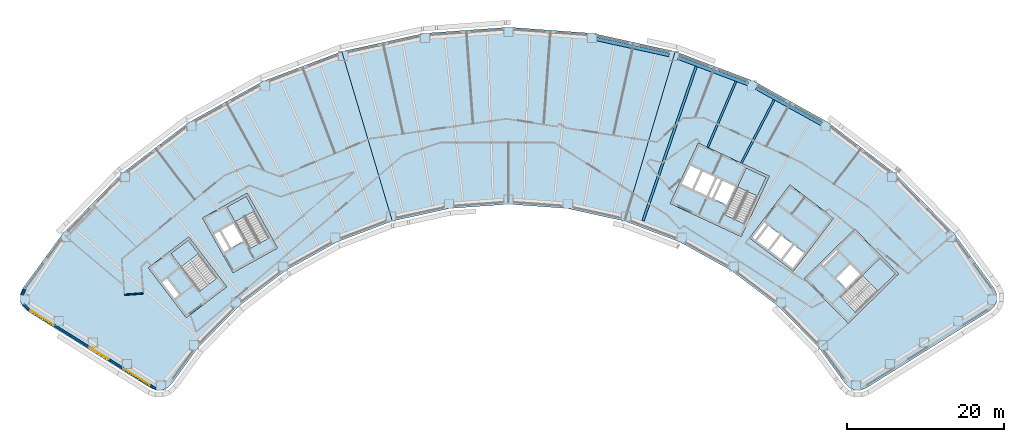
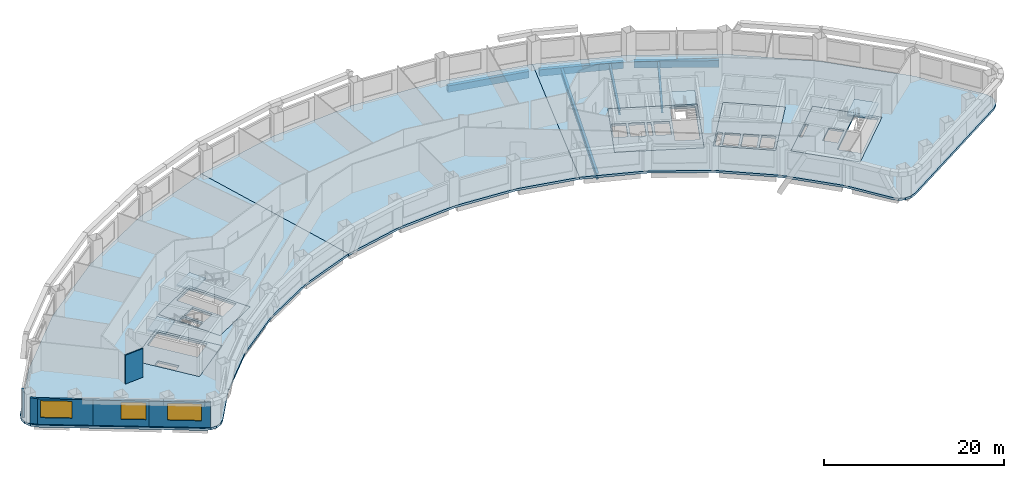
# One storey, part 2 of 11: 12 slabs, 6 beams, 6 walls, 3 windows, 3 openings, 4 elements without a shape of their own.
"""IFC4 building model written with IfcOpenShell, lengths in metres."""

from ifc_helpers import new_model, si_unit, direction, frame, frame_2d, origin, origin_2d, place, context, subcontext, project, spatial, polyline, rectangle, hollow_rectangle, i_section, outline, extrude, material, layer, layer_set, material_profile, profile_set, type_object, element, fill, aggregate, save


model = new_model("IFC4")

# Units and contexts
model_context = context("Model", 3, precision=1e-05, world=origin(), true_north=direction((0.0, 1.0)))
body_context = subcontext(model_context, "Body", "Model", "MODEL_VIEW")
ifc_project = project(units=[si_unit("LENGTHUNIT", "METRE"), si_unit("AREAUNIT", "SQUARE_METRE"), si_unit("VOLUMEUNIT", "CUBIC_METRE"), si_unit("PLANEANGLEUNIT", "RADIAN"), si_unit("MASSUNIT", "GRAM", prefix="KILO")], contexts=[model_context])

# Site, building, storey
site_placement = place(None, origin())
site = spatial("IfcSite", under=ifc_project, at=site_placement, CompositionType="ELEMENT")
building_placement = place(site_placement, origin())
building = spatial("IfcBuilding", under=site, at=building_placement, Name="Tuul Gate Civic Tower", CompositionType="ELEMENT")
storey_placement = place(building_placement, frame((0.0, 0.0, 69.60009765625)))
storey = spatial("IfcBuildingStorey", under=building, at=storey_placement, Name="Level 15", CompositionType="ELEMENT", Elevation=69.60009765625)

# Beams
ifc_material_1 = material(Name="Steel S355", Category="steel")
ifc_material_profile_1 = material_profile(ifc_material_1, i_section(OverallWidth=0.25, OverallDepth=0.64990234375, WebThickness=0.011962890625, FlangeThickness=0.02001953125, at=origin_2d()), Name="PG650x250x12x20")
ifc_profile_set_1 = profile_set([ifc_material_profile_1], Name="Steel S355")
beam_type_1 = type_object("IfcBeamType", Name="STR-FLOOR BEAM-PG650x250x12x20", PredefinedType="BEAM", material=ifc_profile_set_1)
beam_1_placement = place(storey_placement, frame((34.490478515625, 1.98095703125, -0.625), z_axis=(0.460790383982, 0.887508998281, 0.0), x_axis=(-0.887508998281, 0.460790383982, 0.0)))
element("IfcBeam", 1, at=beam_1_placement, inside=storey, type_object=beam_type_1, Name="Floor beam", PredefinedType="BEAM", context=body_context, shape_type="SweptSolid", body=[
    extrude(i_section(OverallWidth=0.25, OverallDepth=0.64990234375, WebThickness=0.011962890625, FlangeThickness=0.02001953125, at=origin_2d()), origin(), (0.0, 0.0, 1.0), 9.064453125),
])
beam_2_placement = place(storey_placement, frame((30.191162109375, 3.98583984375, -0.625), z_axis=(0.394199935174, 0.919024706474, 0.0), x_axis=(-0.919024706474, 0.394199935174, 0.0)))
element("IfcBeam", 2, at=beam_2_placement, inside=storey, type_object=beam_type_1, Name="Floor beam", PredefinedType="BEAM", context=body_context, shape_type="SweptSolid", body=[
    extrude(i_section(OverallWidth=0.25, OverallDepth=0.64990234375, WebThickness=0.011962890625, FlangeThickness=0.02001953125, at=origin_2d()), origin(), (0.0, 0.0, 1.0), 9.1337890625),
])
ifc_material_2 = material(Name="Steel S355", Category="steel")
ifc_material_profile_2 = material_profile(ifc_material_2, i_section(OverallWidth=0.300048828125, OverallDepth=0.800048828125, WebThickness=0.013916015625, FlangeThickness=0.02490234375, at=origin_2d()), Name="PG800x300x14x25")
ifc_profile_set_2 = profile_set([ifc_material_profile_2], Name="Steel S355")
beam_type_2 = type_object("IfcBeamType", Name="STR-FLOOR BEAM-PG800x300x14x25", PredefinedType="BEAM", material=ifc_profile_set_2)
beam_3_placement = place(storey_placement, frame((21.954345703125, -5.380859375, -0.7001953125), z_axis=(0.325483706592, 0.945547649113, 0.0), x_axis=(-0.945547649113, 0.325483706592, 0.0)))
element("IfcBeam", 3, at=beam_3_placement, inside=storey, type_object=beam_type_2, Name="Floor beam", PredefinedType="BEAM", context=body_context, shape_type="SweptSolid", body=[
    extrude(i_section(OverallWidth=0.300048828125, OverallDepth=0.800048828125, WebThickness=0.013916015625, FlangeThickness=0.02490234375, at=origin_2d()), origin(), (0.0, 0.0, 1.0), 20.808837890625),
])
ifc_material_3 = material(Name="Steel S355", Category="steel")
ifc_material_profile_3 = material_profile(ifc_material_3, hollow_rectangle(XDim=0.449951171875, YDim=0.89990234375, WallThickness=0.02490234375, at=origin_2d()), Name="BOX900x450x25")
ifc_profile_set_3 = profile_set([ifc_material_profile_3], Name="Steel S355")
beam_type_3 = type_object("IfcBeamType", Name="STR-SPANDREL BEAM-BOX900x450x25", PredefinedType="BEAM", material=ifc_profile_set_3)
beam_4_placement = place(storey_placement, frame((44.686279296875, 6.974853515625, -0.75), z_axis=(-0.874608888761, 0.484829136604, 0.0), x_axis=(-0.484829136604, -0.874608888761, 0.0)))
element("IfcBeam", 4, at=beam_4_placement, inside=storey, type_object=beam_type_3, Name="Spandrel beam", PredefinedType="BEAM", context=body_context, shape_type="SweptSolid", body=[
    extrude(hollow_rectangle(XDim=0.449951171875, YDim=0.89990234375, WallThickness=0.02490234375, at=origin_2d()), origin(), (0.0, 0.0, 1.0), 9.47802734375),
])
beam_5_placement = place(storey_placement, frame((35.310791015625, 12.0732421875, -0.75), z_axis=(-0.935376104649, 0.353654552993, 0.0), x_axis=(-0.353654552993, -0.935376104649, 0.0)))
element("IfcBeam", 5, at=beam_5_placement, inside=storey, type_object=beam_type_3, Name="Spandrel beam", PredefinedType="BEAM", context=body_context, shape_type="SweptSolid", body=[
    extrude(hollow_rectangle(XDim=0.449951171875, YDim=0.89990234375, WallThickness=0.02490234375, at=origin_2d()), origin(), (0.0, 0.0, 1.0), 9.47705078125),
])
beam_6_placement = place(storey_placement, frame((25.299072265625, 15.76611328125, -0.75), z_axis=(-0.97656320303, 0.215230830708, 0.0), x_axis=(-0.215230830708, -0.97656320303, 0.0)))
element("IfcBeam", 6, at=beam_6_placement, inside=storey, type_object=beam_type_3, Name="Spandrel beam", PredefinedType="BEAM", context=body_context, shape_type="SweptSolid", body=[
    extrude(hollow_rectangle(XDim=0.449951171875, YDim=0.89990234375, WallThickness=0.02490234375, at=origin_2d()), origin(), (0.0, 0.0, 1.0), 9.477294921875),
])

# Slabs
ifc_material_4 = material(Name="Concrete C40/50", Category="concrete")
ifc_layer_1 = layer(ifc_material_4, 0.300048828125)
ifc_layer_set_1 = layer_set([ifc_layer_1], Name="Concrete C40/50")
slab_type_1 = type_object("IfcSlabType", Name="Core floor slab 300", PredefinedType="FLOOR", material=ifc_layer_set_1)
slab_1_placement = place(storey_placement, frame((0.0, 0.0, -0.300048828125)))
element("IfcSlab", 7, at=slab_1_placement, inside=storey, type_object=slab_type_1, Name="FLOOR SLAB", PredefinedType="FLOOR", context=body_context, shape_type="SweptSolid", body=[
    extrude(outline(polyline([(-31.10009765625, -13.7890625), (-35.946044921875, -7.423828125), (-41.11767578125, -11.361572265625), (-36.271484375, -17.726806640625), (-31.10009765625, -13.7890625)]), holes=[polyline([(-37.19287109375, -14.783203125), (-38.737548828125, -12.75439453125), (-39.45361328125, -13.299560546875), (-37.908935546875, -15.328369140625), (-37.19287109375, -14.783203125)]), polyline([(-32.33935546875, -12.65771484375), (-34.56591796875, -14.352783203125), (-38.229736328125, -9.54052734375), (-36.003173828125, -7.845458984375), (-32.33935546875, -12.65771484375)])]), origin(), (0.0, 0.0, 1.0), 0.300048828125),
])
slab_2_placement = place(storey_placement, frame((0.0, 0.0, -0.300048828125)))
element("IfcSlab", 8, at=slab_2_placement, inside=storey, type_object=slab_type_1, Name="FLOOR SLAB", PredefinedType="FLOOR", context=body_context, shape_type="SweptSolid", body=[
    extrude(outline(polyline([(-24.638916015625, -8.846923828125), (-28.51708984375, -1.849853515625), (-34.2021484375, -5.0009765625), (-30.32421875, -11.998046875), (-24.638916015625, -8.846923828125)]), holes=[polyline([(-29.0185546875, -7.958740234375), (-30.254638671875, -5.728515625), (-31.785400390625, -6.576904296875), (-30.54931640625, -8.80712890625), (-29.0185546875, -7.958740234375)]), polyline([(-30.8115234375, -8.95263671875), (-32.047607421875, -6.72216796875), (-32.8349609375, -7.158447265625), (-31.5986328125, -9.388916015625), (-30.8115234375, -8.95263671875)]), polyline([(-25.702392578125, -7.548828125), (-28.14990234375, -8.905517578125), (-31.08203125, -3.615234375), (-28.63427734375, -2.2587890625), (-25.702392578125, -7.548828125)])]), origin(), (0.0, 0.0, 1.0), 0.300048828125),
])
slab_3_placement = place(storey_placement, frame((0.0, 0.0, -0.300048828125)))
element("IfcSlab", 9, at=slab_3_placement, inside=storey, type_object=slab_type_1, Name="FLOOR SLAB", PredefinedType="FLOOR", context=body_context, shape_type="SweptSolid", body=[
    extrude(outline(polyline([(48.117919921875, -18.43310546875), (54.545166015625, -12.1328125), (48.945068359375, -6.419921875), (42.517822265625, -12.719970703125), (48.117919921875, -18.43310546875)]), holes=[polyline([(47.808837890625, -13.974853515625), (49.6298828125, -12.18994140625), (48.40478515625, -10.940185546875), (46.583984375, -12.72509765625), (47.808837890625, -13.974853515625)]), polyline([(44.93896484375, -11.046875), (46.760009765625, -9.261962890625), (46.514892578125, -9.011962890625), (44.69384765625, -10.797119140625), (44.93896484375, -11.046875)]), polyline([(49.086181640625, -17.062744140625), (47.12744140625, -15.064208984375), (52.160888671875, -10.130126953125), (54.11962890625, -12.128662109375), (49.086181640625, -17.062744140625)])]), origin(), (0.0, 0.0, 1.0), 0.300048828125),
])
slab_4_placement = place(storey_placement, frame((0.0, 0.0, -0.300048828125)))
element("IfcSlab", 10, at=slab_4_placement, inside=storey, type_object=slab_type_1, Name="FLOOR SLAB", PredefinedType="FLOOR", context=body_context, shape_type="SweptSolid", body=[
    extrude(outline(polyline([(34.465087890625, -7.385986328125), (38.056884765625, 0.31787109375), (28.993896484375, 4.543701171875), (25.40185546875, -3.159912109375), (34.465087890625, -7.385986328125)]), holes=[polyline([(32.60888671875, -3.32080078125), (33.6865234375, -1.009765625), (32.1005859375, -0.27001953125), (31.02294921875, -2.581298828125), (32.60888671875, -3.32080078125)]), polyline([(30.0712890625, -2.137451171875), (31.14892578125, 0.173583984375), (29.562744140625, 0.9130859375), (28.4853515625, -1.39794921875), (30.0712890625, -2.137451171875)]), polyline([(30.751220703125, -2.454345703125), (31.82861328125, -0.143310546875), (31.4208984375, 0.046875), (30.34326171875, -2.264404296875), (30.751220703125, -2.454345703125)]), polyline([(28.21337890625, -1.27099609375), (29.291015625, 1.0400390625), (27.8408203125, 1.71630859375), (26.76318359375, -0.594970703125), (28.21337890625, -1.27099609375)]), polyline([(34.889892578125, -5.7626953125), (32.353759765625, -4.580078125), (35.120849609375, 1.354736328125), (37.6572265625, 0.17236328125), (34.889892578125, -5.7626953125)])]), origin(), (0.0, 0.0, 1.0), 0.300048828125),
])
ifc_material_5 = material(Name="Concrete C40/50", Category="concrete")
ifc_layer_2 = layer(ifc_material_5, 0.300048828125)
ifc_layer_set_2 = layer_set([ifc_layer_2], Name="Concrete C40/50")
slab_type_2 = type_object("IfcSlabType", Name="Core floor slab 300 non-bearing", PredefinedType="FLOOR", material=ifc_layer_set_2)
slab_5_placement = place(storey_placement, frame((0.0, 0.0, -0.300048828125)))
element("IfcSlab", 11, at=slab_5_placement, inside=storey, type_object=slab_type_2, Name="FLOOR SLAB", PredefinedType="FLOOR", context=body_context, shape_type="SweptSolid", body=[
    extrude(outline(polyline([(41.10107421875, -11.797119140625), (46.25, -5.033935546875), (40.680908203125, -0.79296875), (35.531982421875, -7.555908203125), (41.10107421875, -11.797119140625)]), holes=[polyline([(41.044189453125, -11.37646484375), (42.497802734375, -9.467041015625), (41.22509765625, -8.49755859375), (39.77099609375, -10.4072265625), (41.044189453125, -11.37646484375)]), polyline([(39.532470703125, -10.225341796875), (40.986328125, -8.31591796875), (39.593994140625, -7.255615234375), (38.14013671875, -9.165283203125), (39.532470703125, -10.225341796875)]), polyline([(37.901611328125, -8.9833984375), (39.35546875, -7.073974609375), (37.963134765625, -6.013671875), (36.50927734375, -7.923095703125), (37.901611328125, -8.9833984375)]), polyline([(36.1796875, -7.860595703125), (37.724609375, -5.831787109375), (37.286865234375, -5.49853515625), (35.7421875, -7.527587890625), (36.1796875, -7.860595703125)])]), origin(), (0.0, 0.0, 1.0), 0.300048828125),
])

# Stair, slab
ifc_material_6 = material(Name="Concrete C40/50", Category="concrete")
stair_type = type_object("IfcStairType", Name="Exit stair", PredefinedType="HALF_TURN_STAIR", material=ifc_material_6)
stair_1_placement = place(storey_placement, origin())
stair_1 = element("IfcStair", 12, at=stair_1_placement, inside=storey, type_object=stair_type, Name="Level 15 ST-1", PredefinedType="HALF_TURN_STAIR")
ifc_material_7 = material(Name="Concrete C40/50", Category="concrete")
ifc_layer_3 = layer(ifc_material_7, 0.199951171875)
ifc_layer_set_3 = layer_set([ifc_layer_3], Name="Concrete C40/50")
slab_type_3 = type_object("IfcSlabType", Name="Exit stair landing", PredefinedType="LANDING", material=ifc_layer_set_3)
slab_6_placement = place(storey_placement, frame((0.0, 0.0, 1.89990234375)))
slab_6 = element("IfcSlab", 13, at=slab_6_placement, type_object=slab_type_3, Name="ST-1 landing 1", PredefinedType="LANDING", context=body_context, shape_type="SweptSolid", body=[
    extrude(outline(polyline([(-34.699462890625, -9.554931640625), (-36.9287109375, -11.252197265625), (-38.23193359375, -9.540283203125), (-36.0029296875, -7.843017578125), (-34.699462890625, -9.554931640625)])), origin(), (0.0, 0.0, 1.0), 0.199951171875),
])
aggregate(stair_1, [slab_6])

stair_2_placement = place(storey_placement, origin())
stair_2 = element("IfcStair", 14, at=stair_2_placement, inside=storey, type_object=stair_type, Name="Level 15 ST-2", PredefinedType="HALF_TURN_STAIR")
slab_7_placement = place(storey_placement, frame((0.0, 0.0, 1.89990234375)))
slab_7 = element("IfcSlab", 15, at=slab_7_placement, type_object=slab_type_3, Name="ST-2 landing 1", PredefinedType="LANDING", context=body_context, shape_type="SweptSolid", body=[
    extrude(outline(polyline([(-27.5908203125, -4.138427734375), (-30.041015625, -5.49658203125), (-31.084228515625, -3.61474609375), (-28.6337890625, -2.256591796875), (-27.5908203125, -4.138427734375)])), origin(), (0.0, 0.0, 1.0), 0.199951171875),
])
aggregate(stair_2, [slab_7])

stair_3_placement = place(storey_placement, origin())
stair_3 = element("IfcStair", 16, at=stair_3_placement, inside=storey, type_object=stair_type, Name="Level 15 ST-3", PredefinedType="HALF_TURN_STAIR")
slab_8_placement = place(storey_placement, frame((0.0, 0.0, 1.89990234375)))
slab_8 = element("IfcSlab", 17, at=slab_8_placement, type_object=slab_type_3, Name="ST-3 landing 1", PredefinedType="LANDING", context=body_context, shape_type="SweptSolid", body=[
    extrude(outline(polyline([(51.871337890625, -14.3349609375), (49.91015625, -12.334228515625), (52.160888671875, -10.1279296875), (54.1220703125, -12.128662109375), (51.871337890625, -14.3349609375)])), origin(), (0.0, 0.0, 1.0), 0.199951171875),
])
aggregate(stair_3, [slab_8])

stair_4_placement = place(storey_placement, origin())
stair_4 = element("IfcStair", 18, at=stair_4_placement, inside=storey, type_object=stair_type, Name="Level 15 ST-4", PredefinedType="HALF_TURN_STAIR")
slab_9_placement = place(storey_placement, frame((0.0, 0.0, 1.89990234375)))
slab_9 = element("IfcSlab", 19, at=slab_9_placement, type_object=slab_type_3, Name="ST-4 landing 1", PredefinedType="LANDING", context=body_context, shape_type="SweptSolid", body=[
    extrude(outline(polyline([(36.538818359375, -2.230224609375), (33.999755859375, -1.046142578125), (35.1201171875, 1.35693359375), (37.659423828125, 0.173095703125), (36.538818359375, -2.230224609375)])), origin(), (0.0, 0.0, 1.0), 0.199951171875),
])
aggregate(stair_4, [slab_9])

# Slabs
ifc_material_8 = material(Name="Concrete C35/45", Category="concrete")
ifc_layer_4 = layer(ifc_material_8, 0.300048828125)
ifc_layer_set_4 = layer_set([ifc_layer_4], Name="Concrete C35/45")
slab_type_4 = type_object("IfcSlabType", Name="STR-FLOOR-SLAB-300", PredefinedType="FLOOR", material=ifc_layer_set_4)
slab_10_placement = place(storey_placement, frame((0.0, 0.0, -0.300048828125)))
element("IfcSlab", 20, at=slab_10_placement, inside=storey, type_object=slab_type_4, Name="Level 15/slab/W", PredefinedType="FLOOR", context=body_context, shape_type="SweptSolid", body=[
    extrude(outline(polyline([(-10.006103515625, -5.407958984375), (-16.43994140625, 16.214111328125), (-26.508056640625, 12.406982421875), (-35.923095703125, 7.18798828125), (-44.487060546875, 0.6669921875), (-52.02294921875, -7.02001953125), (-57.10302734375, -13.97607421875), (-57.43994140625, -14.718994140625), (-57.451904296875, -15.534912109375), (-57.136962890625, -16.2880859375), (-56.548095703125, -16.85205078125), (-40.818115234375, -26.680908203125), (-40.1240234375, -26.950927734375), (-39.37890625, -26.948974609375), (-38.68701171875, -26.674072265625), (-38.14306640625, -26.1650390625), (-34.81396484375, -21.60693359375), (-29.56005859375, -16.2470703125), (-23.589111328125, -11.700927734375), (-17.02490234375, -8.06298828125), (-10.006103515625, -5.407958984375)]), holes=[polyline([(-31.10009765625, -13.7890625), (-36.27197265625, -17.72705078125), (-41.117919921875, -11.362060546875), (-35.946044921875, -7.424072265625), (-31.10009765625, -13.7890625)]), polyline([(-24.638916015625, -8.846923828125), (-30.323974609375, -11.998046875), (-34.201904296875, -5.0009765625), (-28.51708984375, -1.85009765625), (-24.638916015625, -8.846923828125)])]), origin(), (0.0, 0.0, 1.0), 0.300048828125),
])
slab_11_placement = place(storey_placement, frame((0.0, 0.0, -0.300048828125)))
element("IfcSlab", 21, at=slab_11_placement, inside=storey, type_object=slab_type_4, Name="Level 15/slab/M", PredefinedType="FLOOR", context=body_context, shape_type="SweptSolid", body=[
    extrude(outline(polyline([(19.6220703125, -5.407958984375), (26.055908203125, 16.214111328125), (15.5439453125, 18.531005859375), (4.80810546875, 19.30810546875), (-5.927978515625, 18.531005859375), (-16.43994140625, 16.214111328125), (-10.006103515625, -5.407958984375), (-2.677001953125, -3.79296875), (4.80810546875, -3.2509765625), (12.29296875, -3.79296875), (19.6220703125, -5.407958984375)])), origin(), (0.0, 0.0, 1.0), 0.300048828125),
])
slab_12_placement = place(storey_placement, frame((0.0, 0.0, -0.300048828125)))
element("IfcSlab", 22, at=slab_12_placement, inside=storey, type_object=slab_type_4, Name="Level 15/slab/E", PredefinedType="FLOOR", context=body_context, shape_type="SweptSolid", body=[
    extrude(outline(polyline([(49.739990234375, -26.950927734375), (50.43408203125, -26.680908203125), (66.1640625, -16.85205078125), (66.75390625, -16.2880859375), (67.068115234375, -15.534912109375), (67.055908203125, -14.718994140625), (66.719970703125, -13.97607421875), (61.638916015625, -7.02001953125), (54.10400390625, 0.6669921875), (45.5400390625, 7.18798828125), (36.125, 12.406982421875), (26.055908203125, 16.214111328125), (19.6220703125, -5.407958984375), (26.64208984375, -8.06298828125), (33.2060546875, -11.700927734375), (39.177001953125, -16.2470703125), (44.429931640625, -21.60693359375), (47.760009765625, -26.1650390625), (48.302978515625, -26.674072265625), (48.9951171875, -26.948974609375), (49.739990234375, -26.950927734375)]), holes=[polyline([(48.117919921875, -18.43310546875), (42.51806640625, -12.719970703125), (48.945068359375, -6.419921875), (54.544921875, -12.133056640625), (48.117919921875, -18.43310546875)]), polyline([(35.531982421875, -7.555908203125), (40.680908203125, -0.79296875), (46.25, -5.033935546875), (41.10107421875, -11.797119140625), (35.531982421875, -7.555908203125)]), polyline([(25.402099609375, -3.159912109375), (28.993896484375, 4.5439453125), (38.056884765625, 0.318115234375), (34.465087890625, -7.385986328125), (25.402099609375, -3.159912109375)])]), origin(), (0.0, 0.0, 1.0), 0.300048828125),
])

# Walls
ifc_material_9 = material(Name="Gypsum board partition")
ifc_layer_5 = layer(ifc_material_9, 0.14990234375)
ifc_layer_set_5 = layer_set([ifc_layer_5], Name="Gypsum board partition")
wall_type_1 = type_object("IfcWallType", Name="Corridor wall P150", PredefinedType="PARTITIONING", material=ifc_layer_set_5)
wall_1_placement = place(storey_placement, frame((-44.14306640625, -14.803466796875, 0.0), z_axis=(0.0, 0.0, 1.0), x_axis=(0.997162391705, 0.075280572318, 0.0)))
element("IfcWall", 23, at=wall_1_placement, inside=storey, type_object=wall_type_1, Name="p051", PredefinedType="PARTITIONING", context=body_context, shape_type="SweptSolid", body=[
    extrude(rectangle(XDim=2.39990234375, YDim=0.14990234375, at=frame_2d((1.199951171875, 0.0))), origin(), (0.0, 0.0, 1.0), 3.89990234375),
])
ifc_material_10 = material(Name="Precast concrete C40/50", Category="concrete")
ifc_layer_6 = layer(ifc_material_10, 0.25)
ifc_layer_set_6 = layer_set([ifc_layer_6], Name="Precast concrete C40/50")
wall_type_2 = type_object("IfcWallType", Name="External wall", PredefinedType="STANDARD", material=ifc_layer_set_6)
wall_2_placement = place(storey_placement, frame((-56.8681640625, -14.116455078125, 0.0), z_axis=(0.0, 0.0, 1.0), x_axis=(-0.412280175097, -0.911057109748, 0.0)))
element("IfcWall", 24, at=wall_2_placement, inside=storey, type_object=wall_type_2, Name="External wall", PredefinedType="STANDARD", context=body_context, shape_type="SweptSolid", body=[
    extrude(rectangle(XDim=0.7734375, YDim=0.25, at=frame_2d((0.38671875, 0.0))), origin(), (0.0, 0.0, 1.0), 3.449951171875),
])
wall_3_placement = place(storey_placement, frame((-57.022216796875, -16.02099609375, 0.0), z_axis=(0.0, 0.0, 1.0), x_axis=(0.722079843393, -0.691809728007, 0.0)))
element("IfcWall", 25, at=wall_3_placement, inside=storey, type_object=wall_type_2, Name="External wall", PredefinedType="STANDARD", context=body_context, shape_type="SweptSolid", body=[
    extrude(rectangle(XDim=0.88720703125, YDim=0.25, at=frame_2d((0.443603515625, 0.0))), origin(), (0.0, 0.0, 1.0), 3.449951171875),
])

# Wall, opening, window
wall_4_placement = place(storey_placement, frame((-56.40185546875, -16.618896484375, 0.0), z_axis=(0.0, 0.0, 1.0), x_axis=(0.848053758074, -0.529910203164, 0.0)))
wall_4 = element("IfcWall", 26, at=wall_4_placement, inside=storey, type_object=wall_type_2, Name="External wall", PredefinedType="STANDARD", context=body_context, shape_type="SweptSolid", body=[
    extrude(rectangle(XDim=6.182861328125, YDim=0.25, at=frame_2d((3.09130859375, 0.0))), origin(), (0.0, 0.0, 1.0), 3.449951171875),
])
opening_1_placement = place(wall_4_placement, frame((0.319091796875, 0.0, 0.89990234375)))
opening_1 = element("IfcOpeningElement", 27, at=opening_1_placement, cuts=wall_4, Name="Opening W74", PredefinedType="OPENING", context=body_context, shape_type="SweptSolid", body=[
    extrude(rectangle(XDim=3.5, YDim=2.300048828125, at=frame_2d((1.75, 1.14990234375))), frame((0.0, 0.135009765625, 0.0), z_axis=(0.0, -1.0, 0.0), x_axis=(1.0, 0.0, 0.0)), (0.0, 0.0, 1.0), 0.27001953125),
])
ifc_material_11 = material(Name="Glass", Category="glass")
window_type_1 = type_object("IfcWindowType", Name="Window 3500 x 2300", PartitioningType="SINGLE_PANEL", PredefinedType="WINDOW", material=ifc_material_11)
window_1_placement = place(opening_1_placement, origin())
window_1 = element("IfcWindow", 28, at=window_1_placement, inside=storey, type_object=window_type_1, Name="Window", OverallHeight=2.300048828125, OverallWidth=3.5, PartitioningType="SINGLE_PANEL", PredefinedType="WINDOW", context=body_context, shape_type="SweptSolid", body=[
    extrude(rectangle(XDim=3.5, YDim=2.300048828125, at=frame_2d((1.75, 1.14990234375))), frame((0.0, 0.030029296875, 0.0), z_axis=(0.0, -1.0, 0.0), x_axis=(1.0, 0.0, 0.0)), (0.0, 0.0, 1.0), 0.06005859375),
])
fill(opening_1, window_1)

wall_5_placement = place(storey_placement, frame((-51.158447265625, -19.895263671875, 0.0), z_axis=(0.0, 0.0, 1.0), x_axis=(0.848053758074, -0.529910203164, 0.0)))
wall_5 = element("IfcWall", 29, at=wall_5_placement, inside=storey, type_object=wall_type_2, Name="External wall", PredefinedType="STANDARD", context=body_context, shape_type="SweptSolid", body=[
    extrude(rectangle(XDim=6.182861328125, YDim=0.25, at=frame_2d((3.09130859375, 0.0))), origin(), (0.0, 0.0, 1.0), 3.449951171875),
])
opening_2_placement = place(wall_5_placement, frame((3.10302734375, 0.0, 0.89990234375)))
opening_2 = element("IfcOpeningElement", 30, at=opening_2_placement, cuts=wall_5, Name="Opening W30", PredefinedType="OPENING", context=body_context, shape_type="SweptSolid", body=[
    extrude(rectangle(XDim=2.75, YDim=2.300048828125, at=frame_2d((1.375, 1.14990234375))), frame((0.0, 0.135009765625, 0.0), z_axis=(0.0, -1.0, 0.0), x_axis=(1.0, 0.0, 0.0)), (0.0, 0.0, 1.0), 0.27001953125),
])
ifc_material_12 = material(Name="Glass", Category="glass")
window_type_2 = type_object("IfcWindowType", Name="Window 2750 x 2300", PartitioningType="SINGLE_PANEL", PredefinedType="WINDOW", material=ifc_material_12)
window_2_placement = place(opening_2_placement, origin())
window_2 = element("IfcWindow", 31, at=window_2_placement, inside=storey, type_object=window_type_2, Name="Window", OverallHeight=2.300048828125, OverallWidth=2.75, PartitioningType="SINGLE_PANEL", PredefinedType="WINDOW", context=body_context, shape_type="SweptSolid", body=[
    extrude(rectangle(XDim=2.75, YDim=2.300048828125, at=frame_2d((1.375, 1.14990234375))), frame((0.0, 0.030029296875, 0.0), z_axis=(0.0, -1.0, 0.0), x_axis=(1.0, 0.0, 0.0)), (0.0, 0.0, 1.0), 0.06005859375),
])
fill(opening_2, window_2)

wall_6_placement = place(storey_placement, frame((-45.9150390625, -23.171630859375, 0.0), z_axis=(0.0, 0.0, 1.0), x_axis=(0.848052242305, -0.529912628951, 0.0)))
wall_6 = element("IfcWall", 32, at=wall_6_placement, inside=storey, type_object=wall_type_2, Name="External wall", PredefinedType="STANDARD", context=body_context, shape_type="SweptSolid", body=[
    extrude(rectangle(XDim=6.865234375, YDim=0.25, at=frame_2d((3.4326171875, 0.0))), origin(), (0.0, 0.0, 1.0), 3.449951171875),
])
opening_3_placement = place(wall_6_placement, frame((2.06591796875, 0.0, 0.89990234375)))
opening_3 = element("IfcOpeningElement", 33, at=opening_3_placement, cuts=wall_6, Name="Opening W100", PredefinedType="OPENING", context=body_context, shape_type="SweptSolid", body=[
    extrude(rectangle(XDim=3.800048828125, YDim=2.300048828125, at=frame_2d((1.89990234375, 1.14990234375))), frame((0.0, 0.135009765625, 0.0), z_axis=(0.0, -1.0, 0.0), x_axis=(1.0, 0.0, 0.0)), (0.0, 0.0, 1.0), 0.27001953125),
])
ifc_material_13 = material(Name="Glass", Category="glass")
window_type_3 = type_object("IfcWindowType", Name="Window W100 3800 x 2300", PartitioningType="SINGLE_PANEL", PredefinedType="WINDOW", material=ifc_material_13)
window_3_placement = place(opening_3_placement, origin())
window_3 = element("IfcWindow", 34, at=window_3_placement, inside=storey, type_object=window_type_3, Name="Window", OverallHeight=2.300048828125, OverallWidth=3.800048828125, PartitioningType="SINGLE_PANEL", PredefinedType="WINDOW", context=body_context, shape_type="SweptSolid", body=[
    extrude(rectangle(XDim=3.800048828125, YDim=2.300048828125, at=frame_2d((1.89990234375, 1.14990234375))), frame((0.0, 0.030029296875, 0.0), z_axis=(0.0, -1.0, 0.0), x_axis=(1.0, 0.0, 0.0)), (0.0, 0.0, 1.0), 0.06005859375),
])
fill(opening_3, window_3)

save(model, "model.ifc")
